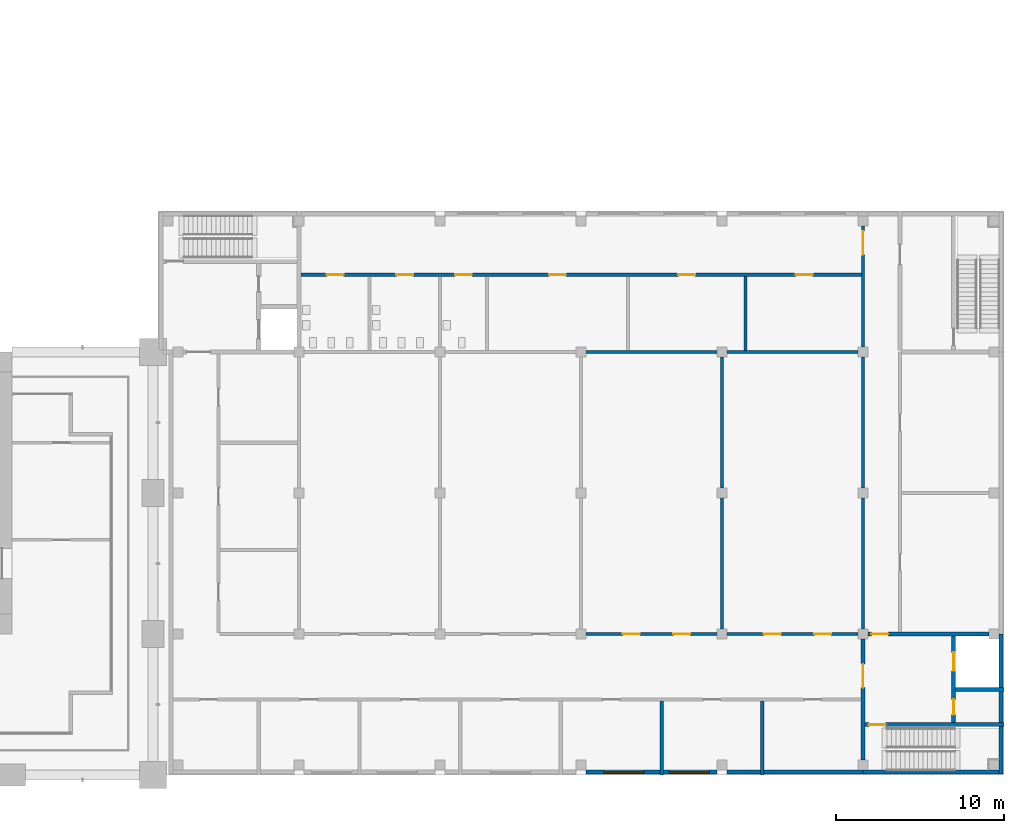
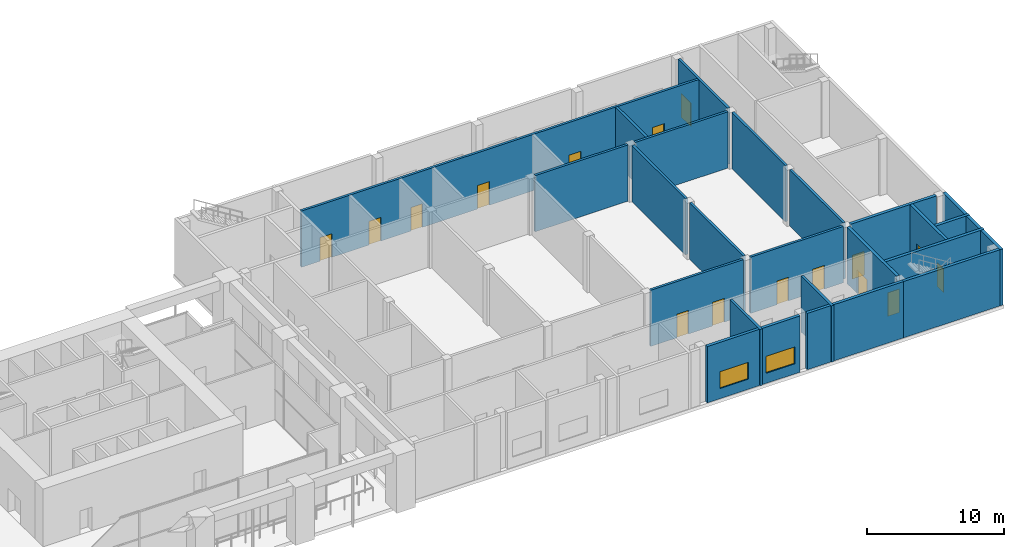
# One storey, part 20 of 32: 22 walls, 16 doors, 2 windows, 18 openings.
"""IFC4 building model written with IfcOpenShell, lengths in metres."""

from ifc_helpers import new_model, si_unit, direction, frame, frame_2d, origin, place, context, subcontext, project, spatial, rectangle, extrude, material, layer, layer_set, type_object, element, fill, save


model = new_model("IFC4")

# Units and contexts
model_context = context("Model", 3, precision=1e-05, world=origin(), true_north=direction((0.0, 1.0)))
body_context = subcontext(model_context, "Body", "Model", "MODEL_VIEW")
ifc_project = project(units=[si_unit("LENGTHUNIT", "METRE"), si_unit("AREAUNIT", "SQUARE_METRE"), si_unit("VOLUMEUNIT", "CUBIC_METRE"), si_unit("PLANEANGLEUNIT", "RADIAN"), si_unit("MASSUNIT", "GRAM", prefix="KILO")], contexts=[model_context])

# Site, building, storey
site_placement = place(None, origin())
site = spatial("IfcSite", under=ifc_project, at=site_placement, CompositionType="ELEMENT")
building_placement = place(site_placement, origin())
building = spatial("IfcBuilding", under=site, at=building_placement, Name="Vermilion Gate Residences", CompositionType="ELEMENT")
storey_placement = place(building_placement, frame((0.0, 0.0, 19.800048828125)))
storey = spatial("IfcBuildingStorey", under=building, at=storey_placement, Name="L03", CompositionType="ELEMENT", Elevation=19.800048828125)

# Wall, openings, windows
ifc_material_1 = material(Name="Insulated masonry", Category="masonry")
ifc_layer_1 = layer(ifc_material_1, 0.25)
ifc_layer_set_1 = layer_set([ifc_layer_1], Name="EXTERNAL WALL 250 MASONRY (MARKET HALL)")
wall_type_1 = type_object("IfcWallType", Name="EXTERNAL WALL 250 MASONRY (MARKET HALL)", PredefinedType="SOLIDWALL", material=ifc_layer_set_1)
wall_1_placement = place(storey_placement, frame((93.0, 0.175048828125, 0.0), z_axis=(0.0, 0.0, 1.0), x_axis=(1.0, 0.0, 0.0)))
wall_1 = element("IfcWall", 1, at=wall_1_placement, inside=storey, type_object=wall_type_1, Name="External wall L03-4", PredefinedType="SOLIDWALL", context=body_context, shape_type="SweptSolid", body=[
    extrude(rectangle(XDim=7.800048828125, YDim=0.25, at=frame_2d((3.89990234375, 0.0))), origin(), (0.0, 0.0, 1.0), 5.0),
])
opening_1_placement = place(wall_1_placement, frame((1.050048828125, 0.0, 0.89990234375)))
opening_1 = element("IfcOpeningElement", 2, at=opening_1_placement, cuts=wall_1, Name="Opening WH03004", PredefinedType="OPENING", context=body_context, shape_type="SweptSolid", body=[
    extrude(rectangle(XDim=2.39990234375, YDim=1.5, at=frame_2d((1.199951171875, 0.75))), frame((0.0, 0.135009765625, 0.0), z_axis=(0.0, -1.0, 0.0), x_axis=(1.0, 0.0, 0.0)), (0.0, 0.0, 1.0), 0.27001953125),
])
opening_2_placement = place(wall_1_placement, frame((4.949951171875, 0.0, 0.89990234375)))
opening_2 = element("IfcOpeningElement", 3, at=opening_2_placement, cuts=wall_1, Name="Opening WH03005", PredefinedType="OPENING", context=body_context, shape_type="SweptSolid", body=[
    extrude(rectangle(XDim=2.39990234375, YDim=1.5, at=frame_2d((1.199951171875, 0.75))), frame((0.0, 0.135009765625, 0.0), z_axis=(0.0, -1.0, 0.0), x_axis=(1.0, 0.0, 0.0)), (0.0, 0.0, 1.0), 0.27001953125),
])
ifc_material_2 = material(Name="Aluminium and glass", Category="aluminium")
window_type = type_object("IfcWindowType", Name="WINDOW 2400 X 1500 (MARKET HALL)", PartitioningType="DOUBLE_PANEL_VERTICAL", PredefinedType="WINDOW", material=ifc_material_2)
window_1_placement = place(opening_1_placement, origin())
window_1 = element("IfcWindow", 4, at=window_1_placement, inside=storey, type_object=window_type, Name="Window WH03004", OverallHeight=1.5, OverallWidth=2.39990234375, PartitioningType="DOUBLE_PANEL_VERTICAL", PredefinedType="WINDOW", context=body_context, shape_type="SweptSolid", body=[
    extrude(rectangle(XDim=2.39990234375, YDim=1.5, at=frame_2d((1.199951171875, 0.75))), frame((0.0, 0.030029296875, 0.0), z_axis=(0.0, -1.0, 0.0), x_axis=(1.0, 0.0, 0.0)), (0.0, 0.0, 1.0), 0.06005859375),
])
fill(opening_1, window_1)
window_2_placement = place(opening_2_placement, origin())
window_2 = element("IfcWindow", 5, at=window_2_placement, inside=storey, type_object=window_type, Name="Window WH03005", OverallHeight=1.5, OverallWidth=2.39990234375, PartitioningType="DOUBLE_PANEL_VERTICAL", PredefinedType="WINDOW", context=body_context, shape_type="SweptSolid", body=[
    extrude(rectangle(XDim=2.39990234375, YDim=1.5, at=frame_2d((1.199951171875, 0.75))), frame((0.0, 0.030029296875, 0.0), z_axis=(0.0, -1.0, 0.0), x_axis=(1.0, 0.0, 0.0)), (0.0, 0.0, 1.0), 0.06005859375),
])
fill(opening_2, window_2)

# Wall
wall_2_placement = place(storey_placement, frame((101.39990234375, 0.175048828125, 0.0), z_axis=(0.0, 0.0, 1.0), x_axis=(1.0, 0.0, 0.0)))
element("IfcWall", 6, at=wall_2_placement, inside=storey, type_object=wall_type_1, Name="External wall L03-5", PredefinedType="SOLIDWALL", context=body_context, shape_type="SweptSolid", body=[
    extrude(rectangle(XDim=8.10009765625, YDim=0.25, at=frame_2d((4.050048828125, 0.0))), origin(), (0.0, 0.0, 1.0), 5.0),
])

# Wall, openings, doors
ifc_material_3 = material(Name="Masonry", Category="masonry")
ifc_layer_2 = layer(ifc_material_3, 0.199951171875)
ifc_layer_set_2 = layer_set([ifc_layer_2], Name="PARTITION 200 MASONRY EI 60 (MARKET HALL)")
wall_type_2 = type_object("IfcWallType", Name="PARTITION 200 MASONRY EI 60 (MARKET HALL)", PredefinedType="PARTITIONING", material=ifc_layer_set_2)
wall_3_placement = place(storey_placement, frame((93.0, 8.39990234375, 0.0), z_axis=(0.0, 0.0, 1.0), x_axis=(1.0, 0.0, 0.0)))
wall_3 = element("IfcWall", 7, at=wall_3_placement, inside=storey, type_object=wall_type_2, Name="Partition wall L03-13", PredefinedType="PARTITIONING", context=body_context, shape_type="SweptSolid", body=[
    extrude(rectangle(XDim=7.800048828125, YDim=0.199951171875, at=frame_2d((3.89990234375, 0.0))), origin(), (0.0, 0.0, 1.0), 5.0),
])
opening_3_placement = place(wall_3_placement, frame((2.199951171875, 0.0, 0.0)))
opening_3 = element("IfcOpeningElement", 8, at=opening_3_placement, cuts=wall_3, Name="Opening DH03013", PredefinedType="OPENING", context=body_context, shape_type="SweptSolid", body=[
    extrude(rectangle(XDim=1.0, YDim=2.10009765625, at=frame_2d((0.5, 1.050048828125))), frame((0.0, 0.10986328125, 0.0), z_axis=(0.0, -1.0, 0.0), x_axis=(1.0, 0.0, 0.0)), (0.0, 0.0, 1.0), 0.219970703125),
])
opening_4_placement = place(wall_3_placement, frame((5.199951171875, 0.0, 0.0)))
opening_4 = element("IfcOpeningElement", 9, at=opening_4_placement, cuts=wall_3, Name="Opening DH03014", PredefinedType="OPENING", context=body_context, shape_type="SweptSolid", body=[
    extrude(rectangle(XDim=1.0, YDim=2.10009765625, at=frame_2d((0.5, 1.050048828125))), frame((0.0, 0.10986328125, 0.0), z_axis=(0.0, -1.0, 0.0), x_axis=(1.0, 0.0, 0.0)), (0.0, 0.0, 1.0), 0.219970703125),
])
ifc_material_4 = material(Name="Steel", Category="steel")
door_type_1 = type_object("IfcDoorType", Name="FIRE DOOR FD30 1000 X 2100 (MARKET HALL)", OperationType="SINGLE_SWING_LEFT", PredefinedType="DOOR", material=ifc_material_4)
door_1_placement = place(opening_3_placement, frame((1.0, 0.0, 0.0), z_axis=(0.0, 0.0, 1.0), x_axis=(-1.0, 0.0, 0.0)))
door_1 = element("IfcDoor", 10, at=door_1_placement, inside=storey, type_object=door_type_1, Name="Fire door DH03013", OperationType="SINGLE_SWING_RIGHT", OverallHeight=2.10009765625, OverallWidth=1.0, PredefinedType="DOOR", context=body_context, shape_type="SweptSolid", body=[
    extrude(rectangle(XDim=1.0, YDim=2.10009765625, at=frame_2d((0.5, 1.050048828125))), frame((0.0, 0.02490234375, 0.0), z_axis=(0.0, -1.0, 0.0), x_axis=(1.0, 0.0, 0.0)), (0.0, 0.0, 1.0), 0.050048828125),
])
fill(opening_3, door_1)
door_2_placement = place(opening_4_placement, frame((1.0, 0.0, 0.0), z_axis=(0.0, 0.0, 1.0), x_axis=(-1.0, 0.0, 0.0)))
door_2 = element("IfcDoor", 11, at=door_2_placement, inside=storey, type_object=door_type_1, Name="Fire door DH03014", OperationType="SINGLE_SWING_LEFT", OverallHeight=2.10009765625, OverallWidth=1.0, PredefinedType="DOOR", context=body_context, shape_type="SweptSolid", body=[
    extrude(rectangle(XDim=1.0, YDim=2.10009765625, at=frame_2d((0.5, 1.050048828125))), frame((0.0, 0.02490234375, 0.0), z_axis=(0.0, -1.0, 0.0), x_axis=(1.0, 0.0, 0.0)), (0.0, 0.0, 1.0), 0.050048828125),
])
fill(opening_4, door_2)

wall_4_placement = place(storey_placement, frame((101.39990234375, 8.39990234375, 0.0), z_axis=(0.0, 0.0, 1.0), x_axis=(1.0, 0.0, 0.0)))
wall_4 = element("IfcWall", 12, at=wall_4_placement, inside=storey, type_object=wall_type_2, Name="Partition wall L03-14", PredefinedType="PARTITIONING", context=body_context, shape_type="SweptSolid", body=[
    extrude(rectangle(XDim=7.800048828125, YDim=0.199951171875, at=frame_2d((3.89990234375, 0.0))), origin(), (0.0, 0.0, 1.0), 5.0),
])
opening_5_placement = place(wall_4_placement, frame((2.199951171875, 0.0, 0.0)))
opening_5 = element("IfcOpeningElement", 13, at=opening_5_placement, cuts=wall_4, Name="Opening DH03015", PredefinedType="OPENING", context=body_context, shape_type="SweptSolid", body=[
    extrude(rectangle(XDim=1.0, YDim=2.10009765625, at=frame_2d((0.5, 1.050048828125))), frame((0.0, 0.10986328125, 0.0), z_axis=(0.0, -1.0, 0.0), x_axis=(1.0, 0.0, 0.0)), (0.0, 0.0, 1.0), 0.219970703125),
])
opening_6_placement = place(wall_4_placement, frame((5.199951171875, 0.0, 0.0)))
opening_6 = element("IfcOpeningElement", 14, at=opening_6_placement, cuts=wall_4, Name="Opening DH03016", PredefinedType="OPENING", context=body_context, shape_type="SweptSolid", body=[
    extrude(rectangle(XDim=1.0, YDim=2.10009765625, at=frame_2d((0.5, 1.050048828125))), frame((0.0, 0.10986328125, 0.0), z_axis=(0.0, -1.0, 0.0), x_axis=(1.0, 0.0, 0.0)), (0.0, 0.0, 1.0), 0.219970703125),
])
door_3_placement = place(opening_5_placement, frame((1.0, 0.0, 0.0), z_axis=(0.0, 0.0, 1.0), x_axis=(-1.0, 0.0, 0.0)))
door_3 = element("IfcDoor", 15, at=door_3_placement, inside=storey, type_object=door_type_1, Name="Fire door DH03015", OperationType="SINGLE_SWING_RIGHT", OverallHeight=2.10009765625, OverallWidth=1.0, PredefinedType="DOOR", context=body_context, shape_type="SweptSolid", body=[
    extrude(rectangle(XDim=1.0, YDim=2.10009765625, at=frame_2d((0.5, 1.050048828125))), frame((0.0, 0.02490234375, 0.0), z_axis=(0.0, -1.0, 0.0), x_axis=(1.0, 0.0, 0.0)), (0.0, 0.0, 1.0), 0.050048828125),
])
fill(opening_5, door_3)
door_4_placement = place(opening_6_placement, frame((1.0, 0.0, 0.0), z_axis=(0.0, 0.0, 1.0), x_axis=(-1.0, 0.0, 0.0)))
door_4 = element("IfcDoor", 16, at=door_4_placement, inside=storey, type_object=door_type_1, Name="Fire door DH03016", OperationType="SINGLE_SWING_LEFT", OverallHeight=2.10009765625, OverallWidth=1.0, PredefinedType="DOOR", context=body_context, shape_type="SweptSolid", body=[
    extrude(rectangle(XDim=1.0, YDim=2.10009765625, at=frame_2d((0.5, 1.050048828125))), frame((0.0, 0.02490234375, 0.0), z_axis=(0.0, -1.0, 0.0), x_axis=(1.0, 0.0, 0.0)), (0.0, 0.0, 1.0), 0.050048828125),
])
fill(opening_6, door_4)

# Walls
for number, where, z_axis, x_axis, name in (
    (17, (93.0, 25.199951171875, 0.0), (0.0, 0.0, 1.0), (1.0, 0.0, 0.0), "Partition wall L03-23"),
    (18, (101.39990234375, 25.199951171875, 0.0), (0.0, 0.0, 1.0), (1.0, 0.0, 0.0), "Partition wall L03-24"),
):
    element("IfcWall", number, at=place(storey_placement, frame(where, z_axis=z_axis, x_axis=x_axis)), inside=storey, type_object=wall_type_2, Name=name, PredefinedType="PARTITIONING", context=body_context, shape_type="SweptSolid", body=[
        extrude(rectangle(XDim=7.800048828125, YDim=0.199951171875, at=frame_2d((3.89990234375, 0.0))), origin(), (0.0, 0.0, 1.0), 5.0),
    ])

# Wall, openings, doors
wall_5_placement = place(storey_placement, frame((76.02490234375, 29.800048828125, 0.0), z_axis=(0.0, 0.0, 1.0), x_axis=(1.0, 0.0, 0.0)))
wall_5 = element("IfcWall", 19, at=wall_5_placement, inside=storey, type_object=wall_type_2, Name="Partition wall L03-27", PredefinedType="PARTITIONING", context=body_context, shape_type="SweptSolid", body=[
    extrude(rectangle(XDim=33.375, YDim=0.199951171875, at=frame_2d((16.6875, 0.0))), origin(), (0.0, 0.0, 1.0), 5.0),
])
opening_7_placement = place(wall_5_placement, frame((1.53759765625, 0.0, 0.0)))
opening_7 = element("IfcOpeningElement", 20, at=opening_7_placement, cuts=wall_5, Name="Opening DH03017", PredefinedType="OPENING", context=body_context, shape_type="SweptSolid", body=[
    extrude(rectangle(XDim=1.0, YDim=2.10009765625, at=frame_2d((0.5, 1.050048828125))), frame((0.0, 0.10986328125, 0.0), z_axis=(0.0, -1.0, 0.0), x_axis=(1.0, 0.0, 0.0)), (0.0, 0.0, 1.0), 0.219970703125),
])
opening_8_placement = place(wall_5_placement, frame((5.675048828125, 0.0, 0.0)))
opening_8 = element("IfcOpeningElement", 21, at=opening_8_placement, cuts=wall_5, Name="Opening DH03018", PredefinedType="OPENING", context=body_context, shape_type="SweptSolid", body=[
    extrude(rectangle(XDim=1.0, YDim=2.10009765625, at=frame_2d((0.5, 1.050048828125))), frame((0.0, 0.10986328125, 0.0), z_axis=(0.0, -1.0, 0.0), x_axis=(1.0, 0.0, 0.0)), (0.0, 0.0, 1.0), 0.219970703125),
])
opening_9_placement = place(wall_5_placement, frame((9.175048828125, 0.0, 0.0)))
opening_9 = element("IfcOpeningElement", 22, at=opening_9_placement, cuts=wall_5, Name="Opening DH03019", PredefinedType="OPENING", context=body_context, shape_type="SweptSolid", body=[
    extrude(rectangle(XDim=1.0, YDim=2.10009765625, at=frame_2d((0.5, 1.050048828125))), frame((0.0, 0.10986328125, 0.0), z_axis=(0.0, -1.0, 0.0), x_axis=(1.0, 0.0, 0.0)), (0.0, 0.0, 1.0), 0.219970703125),
])
opening_10_placement = place(wall_5_placement, frame((14.77490234375, 0.0, 0.0)))
opening_10 = element("IfcOpeningElement", 23, at=opening_10_placement, cuts=wall_5, Name="Opening DH03020", PredefinedType="OPENING", context=body_context, shape_type="SweptSolid", body=[
    extrude(rectangle(XDim=1.0, YDim=2.10009765625, at=frame_2d((0.5, 1.050048828125))), frame((0.0, 0.10986328125, 0.0), z_axis=(0.0, -1.0, 0.0), x_axis=(1.0, 0.0, 0.0)), (0.0, 0.0, 1.0), 0.219970703125),
])
opening_11_placement = place(wall_5_placement, frame((22.47509765625, 0.0, 0.0)))
opening_11 = element("IfcOpeningElement", 24, at=opening_11_placement, cuts=wall_5, Name="Opening DH03021", PredefinedType="OPENING", context=body_context, shape_type="SweptSolid", body=[
    extrude(rectangle(XDim=1.0, YDim=2.10009765625, at=frame_2d((0.5, 1.050048828125))), frame((0.0, 0.10986328125, 0.0), z_axis=(0.0, -1.0, 0.0), x_axis=(1.0, 0.0, 0.0)), (0.0, 0.0, 1.0), 0.219970703125),
])
opening_12_placement = place(wall_5_placement, frame((29.47509765625, 0.0, 0.0)))
opening_12 = element("IfcOpeningElement", 25, at=opening_12_placement, cuts=wall_5, Name="Opening DH03022", PredefinedType="OPENING", context=body_context, shape_type="SweptSolid", body=[
    extrude(rectangle(XDim=1.0, YDim=2.10009765625, at=frame_2d((0.5, 1.050048828125))), frame((0.0, 0.10986328125, 0.0), z_axis=(0.0, -1.0, 0.0), x_axis=(1.0, 0.0, 0.0)), (0.0, 0.0, 1.0), 0.219970703125),
])
door_5_placement = place(opening_10_placement, frame((1.0, 0.0, 0.0), z_axis=(0.0, 0.0, 1.0), x_axis=(-1.0, 0.0, 0.0)))
door_5 = element("IfcDoor", 26, at=door_5_placement, inside=storey, type_object=door_type_1, Name="Fire door DH03020", OperationType="SINGLE_SWING_RIGHT", OverallHeight=2.10009765625, OverallWidth=1.0, PredefinedType="DOOR", context=body_context, shape_type="SweptSolid", body=[
    extrude(rectangle(XDim=1.0, YDim=2.10009765625, at=frame_2d((0.5, 1.050048828125))), frame((0.0, 0.02490234375, 0.0), z_axis=(0.0, -1.0, 0.0), x_axis=(1.0, 0.0, 0.0)), (0.0, 0.0, 1.0), 0.050048828125),
])
fill(opening_10, door_5)
door_6_placement = place(opening_11_placement, frame((1.0, 0.0, 0.0), z_axis=(0.0, 0.0, 1.0), x_axis=(-1.0, 0.0, 0.0)))
door_6 = element("IfcDoor", 27, at=door_6_placement, inside=storey, type_object=door_type_1, Name="Fire door DH03021", OperationType="SINGLE_SWING_RIGHT", OverallHeight=2.10009765625, OverallWidth=1.0, PredefinedType="DOOR", context=body_context, shape_type="SweptSolid", body=[
    extrude(rectangle(XDim=1.0, YDim=2.10009765625, at=frame_2d((0.5, 1.050048828125))), frame((0.0, 0.02490234375, 0.0), z_axis=(0.0, -1.0, 0.0), x_axis=(1.0, 0.0, 0.0)), (0.0, 0.0, 1.0), 0.050048828125),
])
fill(opening_11, door_6)
door_7_placement = place(opening_12_placement, frame((1.0, 0.0, 0.0), z_axis=(0.0, 0.0, 1.0), x_axis=(-1.0, 0.0, 0.0)))
door_7 = element("IfcDoor", 28, at=door_7_placement, inside=storey, type_object=door_type_1, Name="Fire door DH03022", OperationType="SINGLE_SWING_RIGHT", OverallHeight=2.10009765625, OverallWidth=1.0, PredefinedType="DOOR", context=body_context, shape_type="SweptSolid", body=[
    extrude(rectangle(XDim=1.0, YDim=2.10009765625, at=frame_2d((0.5, 1.050048828125))), frame((0.0, 0.02490234375, 0.0), z_axis=(0.0, -1.0, 0.0), x_axis=(1.0, 0.0, 0.0)), (0.0, 0.0, 1.0), 0.050048828125),
])
fill(opening_12, door_7)
ifc_material_5 = material(Name="Timber", Category="wood")
door_type_2 = type_object("IfcDoorType", Name="TIMBER DOOR 1000 X 2100 (MARKET HALL)", OperationType="SINGLE_SWING_LEFT", PredefinedType="DOOR", material=ifc_material_5)
door_8_placement = place(opening_7_placement, frame((1.0, 0.0, 0.0), z_axis=(0.0, 0.0, 1.0), x_axis=(-1.0, 0.0, 0.0)))
door_8 = element("IfcDoor", 29, at=door_8_placement, inside=storey, type_object=door_type_2, Name="WC door DH03017", OperationType="SINGLE_SWING_LEFT", OverallHeight=2.10009765625, OverallWidth=1.0, PredefinedType="DOOR", context=body_context, shape_type="SweptSolid", body=[
    extrude(rectangle(XDim=1.0, YDim=2.10009765625, at=frame_2d((0.5, 1.050048828125))), frame((0.0, 0.02490234375, 0.0), z_axis=(0.0, -1.0, 0.0), x_axis=(1.0, 0.0, 0.0)), (0.0, 0.0, 1.0), 0.050048828125),
])
fill(opening_7, door_8)
door_9_placement = place(opening_8_placement, frame((1.0, 0.0, 0.0), z_axis=(0.0, 0.0, 1.0), x_axis=(-1.0, 0.0, 0.0)))
door_9 = element("IfcDoor", 30, at=door_9_placement, inside=storey, type_object=door_type_2, Name="WC door DH03018", OperationType="SINGLE_SWING_LEFT", OverallHeight=2.10009765625, OverallWidth=1.0, PredefinedType="DOOR", context=body_context, shape_type="SweptSolid", body=[
    extrude(rectangle(XDim=1.0, YDim=2.10009765625, at=frame_2d((0.5, 1.050048828125))), frame((0.0, 0.02490234375, 0.0), z_axis=(0.0, -1.0, 0.0), x_axis=(1.0, 0.0, 0.0)), (0.0, 0.0, 1.0), 0.050048828125),
])
fill(opening_8, door_9)
door_10_placement = place(opening_9_placement, frame((1.0, 0.0, 0.0), z_axis=(0.0, 0.0, 1.0), x_axis=(-1.0, 0.0, 0.0)))
door_10 = element("IfcDoor", 31, at=door_10_placement, inside=storey, type_object=door_type_2, Name="WC door DH03019", OperationType="SINGLE_SWING_LEFT", OverallHeight=2.10009765625, OverallWidth=1.0, PredefinedType="DOOR", context=body_context, shape_type="SweptSolid", body=[
    extrude(rectangle(XDim=1.0, YDim=2.10009765625, at=frame_2d((0.5, 1.050048828125))), frame((0.0, 0.02490234375, 0.0), z_axis=(0.0, -1.0, 0.0), x_axis=(1.0, 0.0, 0.0)), (0.0, 0.0, 1.0), 0.050048828125),
])
fill(opening_9, door_10)

# Walls
wall_6_placement = place(storey_placement, frame((97.5, 0.0, 0.0), z_axis=(0.0, 0.0, 1.0), x_axis=(0.0, 1.0, 0.0)))
element("IfcWall", 32, at=wall_6_placement, inside=storey, type_object=wall_type_2, Name="Partition wall L03-56", PredefinedType="PARTITIONING", context=body_context, shape_type="SweptSolid", body=[
    extrude(rectangle(XDim=4.39990234375, YDim=0.199951171875, at=frame_2d((2.199951171875, 0.0))), origin(), (0.0, 0.0, 1.0), 5.0),
])
wall_7_placement = place(storey_placement, frame((101.10009765625, 8.699951171875, 0.0), z_axis=(0.0, 0.0, 1.0), x_axis=(0.0, 1.0, 0.0)))
element("IfcWall", 33, at=wall_7_placement, inside=storey, type_object=wall_type_2, Name="Partition wall L03-57", PredefinedType="PARTITIONING", context=body_context, shape_type="SweptSolid", body=[
    extrude(rectangle(XDim=7.800048828125, YDim=0.199951171875, at=frame_2d((3.89990234375, 0.0))), origin(), (0.0, 0.0, 1.0), 5.0),
])
wall_8_placement = place(storey_placement, frame((101.10009765625, 17.10009765625, 0.0), z_axis=(0.0, 0.0, 1.0), x_axis=(0.0, 1.0, 0.0)))
element("IfcWall", 34, at=wall_8_placement, inside=storey, type_object=wall_type_2, Name="Partition wall L03-58", PredefinedType="PARTITIONING", context=body_context, shape_type="SweptSolid", body=[
    extrude(rectangle(XDim=7.7998046875, YDim=0.199951171875, at=frame_2d((3.89990234375, 0.0))), origin(), (0.0, 0.0, 1.0), 5.0),
])
for number, where, z_axis, x_axis, name in (
    (35, (102.5, 25.300048828125, 0.0), (0.0, 0.0, 1.0), (0.0, 1.0, 0.0), "Partition wall L03-59"),
    (36, (103.5, 0.0, 0.0), (0.0, 0.0, 1.0), (0.0, 1.0, 0.0), "Partition wall L03-60"),
):
    element("IfcWall", number, at=place(storey_placement, frame(where, z_axis=z_axis, x_axis=x_axis)), inside=storey, type_object=wall_type_2, Name=name, PredefinedType="PARTITIONING", context=body_context, shape_type="SweptSolid", body=[
        extrude(rectangle(XDim=4.39990234375, YDim=0.199951171875, at=frame_2d((2.199951171875, 0.0))), origin(), (0.0, 0.0, 1.0), 5.0),
    ])
wall_9_placement = place(storey_placement, frame((109.5, 8.699951171875, 0.0), z_axis=(0.0, 0.0, 1.0), x_axis=(0.0, 1.0, 0.0)))
element("IfcWall", 37, at=wall_9_placement, inside=storey, type_object=wall_type_2, Name="Partition wall L03-62", PredefinedType="PARTITIONING", context=body_context, shape_type="SweptSolid", body=[
    extrude(rectangle(XDim=7.800048828125, YDim=0.199951171875, at=frame_2d((3.89990234375, 0.0))), origin(), (0.0, 0.0, 1.0), 5.0),
])
wall_10_placement = place(storey_placement, frame((109.5, 17.10009765625, 0.0), z_axis=(0.0, 0.0, 1.0), x_axis=(0.0, 1.0, 0.0)))
element("IfcWall", 38, at=wall_10_placement, inside=storey, type_object=wall_type_2, Name="Partition wall L03-63", PredefinedType="PARTITIONING", context=body_context, shape_type="SweptSolid", body=[
    extrude(rectangle(XDim=7.7998046875, YDim=0.199951171875, at=frame_2d((3.89990234375, 0.0))), origin(), (0.0, 0.0, 1.0), 5.0),
])

# Wall, opening, door
wall_11_placement = place(storey_placement, frame((109.5, 25.5, 0.0), z_axis=(0.0, 0.0, 1.0), x_axis=(0.0, 1.0, 0.0)))
wall_11 = element("IfcWall", 39, at=wall_11_placement, inside=storey, type_object=wall_type_2, Name="Partition wall L03-64", PredefinedType="PARTITIONING", context=body_context, shape_type="SweptSolid", body=[
    extrude(rectangle(XDim=7.199951171875, YDim=0.199951171875, at=frame_2d((3.60009765625, 0.0))), origin(), (0.0, 0.0, 1.0), 5.0),
])
opening_13_placement = place(wall_11_placement, frame((5.5, 0.0, 0.0)))
opening_13 = element("IfcOpeningElement", 40, at=opening_13_placement, cuts=wall_11, Name="Opening DH03023", PredefinedType="OPENING", context=body_context, shape_type="SweptSolid", body=[
    extrude(rectangle(XDim=1.39990234375, YDim=2.10009765625, at=frame_2d((0.699951171875, 1.050048828125))), frame((0.0, 0.10986328125, 0.0), z_axis=(0.0, -1.0, 0.0), x_axis=(1.0, 0.0, 0.0)), (0.0, 0.0, 1.0), 0.219970703125),
])
ifc_material_6 = material(Name="Steel", Category="steel")
door_type_3 = type_object("IfcDoorType", Name="FIRE DOOR FD30 1400 X 2100 DOUBLE (MARKET HALL)", OperationType="DOUBLE_DOOR_SINGLE_SWING", PredefinedType="DOOR", material=ifc_material_6)
door_11_placement = place(opening_13_placement, origin())
door_11 = element("IfcDoor", 41, at=door_11_placement, inside=storey, type_object=door_type_3, Name="Fire door DH03023", OperationType="DOUBLE_DOOR_SINGLE_SWING", OverallHeight=2.10009765625, OverallWidth=1.39990234375, PredefinedType="DOOR", context=body_context, shape_type="SweptSolid", body=[
    extrude(rectangle(XDim=1.39990234375, YDim=2.10009765625, at=frame_2d((0.699951171875, 1.050048828125))), frame((0.0, 0.02490234375, 0.0), z_axis=(0.0, -1.0, 0.0), x_axis=(1.0, 0.0, 0.0)), (0.0, 0.0, 1.0), 0.050048828125),
])
fill(opening_13, door_11)

# Wall
ifc_material_7 = material(Name="Concrete C45", Category="concrete")
ifc_layer_3 = layer(ifc_material_7, 0.25)
ifc_layer_set_3 = layer_set([ifc_layer_3], Name="RC CORE WALL 250 C45 (MARKET HALL)")
wall_type_3 = type_object("IfcWallType", Name="RC CORE WALL 250 C45 (MARKET HALL)", PredefinedType="SHEAR", material=ifc_layer_set_3)
wall_12_placement = place(storey_placement, frame((109.5, 0.175048828125, 0.0), z_axis=(0.0, 0.0, 1.0), x_axis=(1.0, 0.0, 0.0)))
element("IfcWall", 42, at=wall_12_placement, inside=storey, type_object=wall_type_3, Name="Core wall L03-6", PredefinedType="SHEAR", context=body_context, shape_type="SweptSolid", body=[
    extrude(rectangle(XDim=8.10009765625, YDim=0.25, at=frame_2d((4.050048828125, 0.0))), origin(), (0.0, 0.0, 1.0), 5.0),
])

# Wall, opening, door
wall_13_placement = place(storey_placement, frame((109.625, 3.0, 0.0), z_axis=(0.0, 0.0, 1.0), x_axis=(1.0, 0.0, 0.0)))
wall_13 = element("IfcWall", 43, at=wall_13_placement, inside=storey, type_object=wall_type_3, Name="Core wall L03-7", PredefinedType="SHEAR", context=body_context, shape_type="SweptSolid", body=[
    extrude(rectangle(XDim=8.27490234375, YDim=0.25, at=frame_2d((4.137451171875, 0.0))), origin(), (0.0, 0.0, 1.0), 5.0),
])
opening_14_placement = place(wall_13_placement, frame((0.22509765625, 0.0, 0.0)))
opening_14 = element("IfcOpeningElement", 44, at=opening_14_placement, cuts=wall_13, Name="Opening DH03036", PredefinedType="OPENING", context=body_context, shape_type="SweptSolid", body=[
    extrude(rectangle(XDim=1.0, YDim=2.10009765625, at=frame_2d((0.5, 1.050048828125))), frame((0.0, 0.135009765625, 0.0), z_axis=(0.0, -1.0, 0.0), x_axis=(1.0, 0.0, 0.0)), (0.0, 0.0, 1.0), 0.27001953125),
])
ifc_material_8 = material(Name="Steel", Category="steel")
door_type_4 = type_object("IfcDoorType", Name="STAIR DOOR FD60 1000 X 2100 (MARKET HALL)", OperationType="SINGLE_SWING_LEFT", PredefinedType="DOOR", material=ifc_material_8)
door_12_placement = place(opening_14_placement, frame((1.0, 0.0, 0.0), z_axis=(0.0, 0.0, 1.0), x_axis=(-1.0, 0.0, 0.0)))
door_12 = element("IfcDoor", 45, at=door_12_placement, inside=storey, type_object=door_type_4, Name="Stair door DH03036", OperationType="SINGLE_SWING_LEFT", OverallHeight=2.10009765625, OverallWidth=1.0, PredefinedType="DOOR", context=body_context, shape_type="SweptSolid", body=[
    extrude(rectangle(XDim=1.0, YDim=2.10009765625, at=frame_2d((0.5, 1.050048828125))), frame((0.0, 0.02490234375, 0.0), z_axis=(0.0, -1.0, 0.0), x_axis=(1.0, 0.0, 0.0)), (0.0, 0.0, 1.0), 0.050048828125),
])
fill(opening_14, door_12)

# Wall
wall_14_placement = place(storey_placement, frame((115.02490234375, 5.10009765625, 0.0), z_axis=(0.0, 0.0, 1.0), x_axis=(1.0, 0.0, 0.0)))
element("IfcWall", 46, at=wall_14_placement, inside=storey, type_object=wall_type_3, Name="Core wall L03-9", PredefinedType="SHEAR", context=body_context, shape_type="SweptSolid", body=[
    extrude(rectangle(XDim=2.875, YDim=0.25, at=frame_2d((1.4375, 0.0))), origin(), (0.0, 0.0, 1.0), 5.0),
])

# Wall, opening, door
wall_15_placement = place(storey_placement, frame((109.800048828125, 8.39990234375, 0.0), z_axis=(0.0, 0.0, 1.0), x_axis=(1.0, 0.0, 0.0)))
wall_15 = element("IfcWall", 47, at=wall_15_placement, inside=storey, type_object=wall_type_3, Name="Core wall L03-15", PredefinedType="SHEAR", context=body_context, shape_type="SweptSolid", body=[
    extrude(rectangle(XDim=7.199951171875, YDim=0.25, at=frame_2d((3.60009765625, 0.0))), origin(), (0.0, 0.0, 1.0), 5.0),
])
opening_15_placement = place(wall_15_placement, frame((0.199951171875, 0.0, 0.0)))
opening_15 = element("IfcOpeningElement", 48, at=opening_15_placement, cuts=wall_15, Name="Opening DH03032", PredefinedType="OPENING", context=body_context, shape_type="SweptSolid", body=[
    extrude(rectangle(XDim=1.0, YDim=2.10009765625, at=frame_2d((0.5, 1.050048828125))), frame((0.0, 0.135009765625, 0.0), z_axis=(0.0, -1.0, 0.0), x_axis=(1.0, 0.0, 0.0)), (0.0, 0.0, 1.0), 0.27001953125),
])
ifc_material_9 = material(Name="Steel", Category="steel")
door_type_5 = type_object("IfcDoorType", Name="FIRE DOOR FD60 1000 X 2100 (MARKET HALL)", OperationType="SINGLE_SWING_LEFT", PredefinedType="DOOR", material=ifc_material_9)
door_13_placement = place(opening_15_placement, frame((1.0, 0.0, 0.0), z_axis=(0.0, 0.0, 1.0), x_axis=(-1.0, 0.0, 0.0)))
door_13 = element("IfcDoor", 49, at=door_13_placement, inside=storey, type_object=door_type_5, Name="Lobby fire door DH03032", OperationType="SINGLE_SWING_RIGHT", OverallHeight=2.10009765625, OverallWidth=1.0, PredefinedType="DOOR", context=body_context, shape_type="SweptSolid", body=[
    extrude(rectangle(XDim=1.0, YDim=2.10009765625, at=frame_2d((0.5, 1.050048828125))), frame((0.0, 0.02490234375, 0.0), z_axis=(0.0, -1.0, 0.0), x_axis=(1.0, 0.0, 0.0)), (0.0, 0.0, 1.0), 0.050048828125),
])
fill(opening_15, door_13)

wall_16_placement = place(storey_placement, frame((109.5, 0.89990234375, 0.0), z_axis=(0.0, 0.0, 1.0), x_axis=(0.0, 1.0, 0.0)))
wall_16 = element("IfcWall", 50, at=wall_16_placement, inside=storey, type_object=wall_type_3, Name="Core wall L03-61", PredefinedType="SHEAR", context=body_context, shape_type="SweptSolid", body=[
    extrude(rectangle(XDim=7.2001953125, YDim=0.25, at=frame_2d((3.60009765625, 0.0))), origin(), (0.0, 0.0, 1.0), 5.0),
])
opening_16_placement = place(wall_16_placement, frame((4.300048828125, 0.0, 0.0)))
opening_16 = element("IfcOpeningElement", 51, at=opening_16_placement, cuts=wall_16, Name="Opening DH03031", PredefinedType="OPENING", context=body_context, shape_type="SweptSolid", body=[
    extrude(rectangle(XDim=1.39990234375, YDim=2.10009765625, at=frame_2d((0.699951171875, 1.050048828125))), frame((0.0, 0.135009765625, 0.0), z_axis=(0.0, -1.0, 0.0), x_axis=(1.0, 0.0, 0.0)), (0.0, 0.0, 1.0), 0.27001953125),
])
ifc_material_10 = material(Name="Steel", Category="steel")
door_type_6 = type_object("IfcDoorType", Name="FIRE DOOR FD60 1400 X 2100 DOUBLE (MARKET HALL)", OperationType="DOUBLE_DOOR_SINGLE_SWING", PredefinedType="DOOR", material=ifc_material_10)
door_14_placement = place(opening_16_placement, frame((1.39990234375, 0.0, 0.0), z_axis=(0.0, 0.0, 1.0), x_axis=(-1.0, 0.0, 0.0)))
door_14 = element("IfcDoor", 52, at=door_14_placement, inside=storey, type_object=door_type_6, Name="Lobby fire door DH03031", OperationType="DOUBLE_DOOR_SINGLE_SWING", OverallHeight=2.10009765625, OverallWidth=1.39990234375, PredefinedType="DOOR", context=body_context, shape_type="SweptSolid", body=[
    extrude(rectangle(XDim=1.39990234375, YDim=2.10009765625, at=frame_2d((0.699951171875, 1.050048828125))), frame((0.0, 0.02490234375, 0.0), z_axis=(0.0, -1.0, 0.0), x_axis=(1.0, 0.0, 0.0)), (0.0, 0.0, 1.0), 0.050048828125),
])
fill(opening_16, door_14)

# Wall, openings, doors
wall_17_placement = place(storey_placement, frame((114.89990234375, 3.125, 0.0), z_axis=(0.0, 0.0, 1.0), x_axis=(0.0, 1.0, 0.0)))
wall_17 = element("IfcWall", 53, at=wall_17_placement, inside=storey, type_object=wall_type_3, Name="Core wall L03-68", PredefinedType="SHEAR", context=body_context, shape_type="SweptSolid", body=[
    extrude(rectangle(XDim=5.14990234375, YDim=0.25, at=frame_2d((2.574951171875, 0.0))), origin(), (0.0, 0.0, 1.0), 5.0),
])
opening_17_placement = place(wall_17_placement, frame((3.074951171875, 0.0, 0.0)))
opening_17 = element("IfcOpeningElement", 54, at=opening_17_placement, cuts=wall_17, Name="Opening LD", PredefinedType="OPENING", context=body_context, shape_type="SweptSolid", body=[
    extrude(rectangle(XDim=1.10009765625, YDim=2.10009765625, at=frame_2d((0.550048828125, 1.050048828125))), frame((0.0, 0.135009765625, 0.0), z_axis=(0.0, -1.0, 0.0), x_axis=(1.0, 0.0, 0.0)), (0.0, 0.0, 1.0), 0.27001953125),
])
opening_18_placement = place(wall_17_placement, frame((0.47509765625, 0.0, 0.0)))
opening_18 = element("IfcOpeningElement", 55, at=opening_18_placement, cuts=wall_17, Name="Opening DH03038", PredefinedType="OPENING", context=body_context, shape_type="SweptSolid", body=[
    extrude(rectangle(XDim=0.89990234375, YDim=2.10009765625, at=frame_2d((0.449951171875, 1.050048828125))), frame((0.0, 0.135009765625, 0.0), z_axis=(0.0, -1.0, 0.0), x_axis=(1.0, 0.0, 0.0)), (0.0, 0.0, 1.0), 0.27001953125),
])
ifc_material_11 = material(Name="Steel", Category="steel")
door_type_7 = type_object("IfcDoorType", Name="FIRE DOOR FD60 900 X 2100 (MARKET HALL)", OperationType="SINGLE_SWING_LEFT", PredefinedType="DOOR", material=ifc_material_11)
door_15_placement = place(opening_18_placement, frame((0.89990234375, 0.0, 0.0), z_axis=(0.0, 0.0, 1.0), x_axis=(-1.0, 0.0, 0.0)))
door_15 = element("IfcDoor", 56, at=door_15_placement, inside=storey, type_object=door_type_7, Name="Lobby fire door DH03038", OperationType="SINGLE_SWING_LEFT", OverallHeight=2.10009765625, OverallWidth=0.89990234375, PredefinedType="DOOR", context=body_context, shape_type="SweptSolid", body=[
    extrude(rectangle(XDim=0.89990234375, YDim=2.10009765625, at=frame_2d((0.449951171875, 1.050048828125))), frame((0.0, 0.02490234375, 0.0), z_axis=(0.0, -1.0, 0.0), x_axis=(1.0, 0.0, 0.0)), (0.0, 0.0, 1.0), 0.050048828125),
])
fill(opening_18, door_15)
ifc_material_12 = material(Name="Stainless steel", Category="steel")
door_type_8 = type_object("IfcDoorType", Name="LIFT LANDING DOOR 1100 X 2100 (MARKET HALL)", OperationType="SLIDING_TO_LEFT", PredefinedType="DOOR", material=ifc_material_12)
door_16_placement = place(opening_17_placement, origin())
door_16 = element("IfcDoor", 57, at=door_16_placement, inside=storey, type_object=door_type_8, Name="Lift landing door L03-37", OperationType="SLIDING_TO_LEFT", OverallHeight=2.10009765625, OverallWidth=1.10009765625, PredefinedType="DOOR", context=body_context, shape_type="SweptSolid", body=[
    extrude(rectangle(XDim=1.10009765625, YDim=2.10009765625, at=frame_2d((0.550048828125, 1.050048828125))), frame((0.0, 0.02490234375, 0.0), z_axis=(0.0, -1.0, 0.0), x_axis=(1.0, 0.0, 0.0)), (0.0, 0.0, 1.0), 0.050048828125),
])
fill(opening_17, door_16)

# Wall
wall_18_placement = place(storey_placement, frame((117.72509765625, 0.050048828125, 0.0), z_axis=(0.0, 0.0, 1.0), x_axis=(0.0, 1.0, 0.0)))
element("IfcWall", 58, at=wall_18_placement, inside=storey, type_object=wall_type_3, Name="Core wall L03-70", PredefinedType="SHEAR", context=body_context, shape_type="SweptSolid", body=[
    extrude(rectangle(XDim=8.349853515625, YDim=0.25, at=frame_2d((4.1748046875, 0.0))), origin(), (0.0, 0.0, 1.0), 5.0),
])

save(model, "model.ifc")
